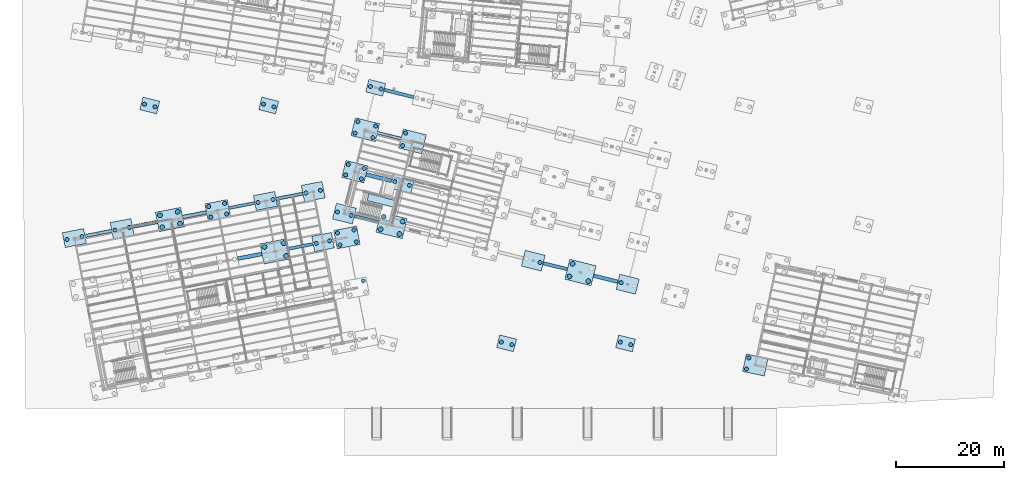
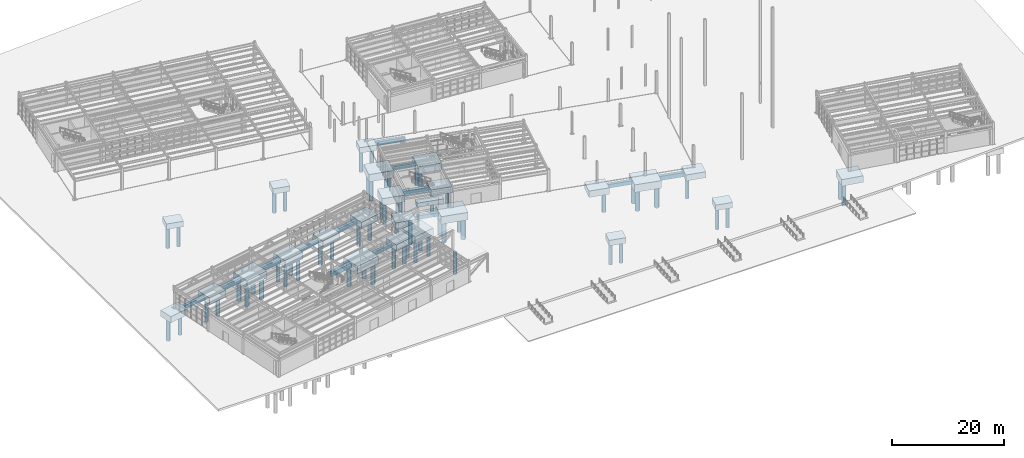
# One storey, part 2 of 108: 61 piles, 38 footings.
"""IFC4 building model written with IfcOpenShell, lengths in metres."""

from ifc_helpers import new_model, si_unit, direction, frame, origin, origin_2d, place, context, subcontext, project, spatial, rectangle, circle, extrude, material, material_profile, profile_set, type_object, element, save


model = new_model("IFC4")

# Units and contexts
model_context = context("Model", 3, precision=1e-05, world=origin(), true_north=direction((0.0, 1.0)))
body_context = subcontext(model_context, "Body", "Model", "MODEL_VIEW")
ifc_project = project(units=[si_unit("LENGTHUNIT", "METRE"), si_unit("AREAUNIT", "SQUARE_METRE"), si_unit("VOLUMEUNIT", "CUBIC_METRE"), si_unit("PLANEANGLEUNIT", "RADIAN"), si_unit("MASSUNIT", "GRAM", prefix="KILO")], contexts=[model_context])

# Site, building, storey
site_placement = place(None, origin())
site = spatial("IfcSite", under=ifc_project, at=site_placement, CompositionType="ELEMENT")
building_placement = place(site_placement, origin())
building = spatial("IfcBuilding", under=site, at=building_placement, Name="Vireo Bluff Cable Station", CompositionType="ELEMENT")
storey_placement = place(building_placement, origin())
storey = spatial("IfcBuildingStorey", under=building, at=storey_placement, Name="L00", CompositionType="ELEMENT", Elevation=0.0)

# Piles
ifc_material_1 = material(Name="Concrete f'c 45 MPa", Category="concrete")
ifc_material_profile_1 = material_profile(ifc_material_1, circle(Radius=0.375, at=origin_2d()), Name="BOREDPILE-750")
ifc_profile_set_1 = profile_set([ifc_material_profile_1], Name="Concrete f'c 45 MPa")
pile_type_1 = type_object("IfcPileType", Name="BOREDPILE-750", PredefinedType="BORED", material=ifc_profile_set_1)
for number, where, z_axis, x_axis, name in (
    (1, (52.743408203125, 38.313232421875, -1.699951171875), (0.0, 0.0, -1.0), (1.0, 0.0, 0.0), "V1 rock-socketed bored pile 1"),
    (2, (55.256591796875, 37.686767578125, -1.699951171875), (0.0, 0.0, -1.0), (1.0, 0.0, 0.0), "V1 rock-socketed bored pile 2"),
):
    element("IfcPile", number, at=place(storey_placement, frame(where, z_axis=z_axis, x_axis=x_axis)), inside=storey, type_object=pile_type_1, Name=name, PredefinedType="BORED", context=body_context, shape_type="SweptSolid", body=[
        extrude(circle(Radius=0.375, at=origin_2d()), origin(), (0.0, 0.0, 1.0), 4.800048828125),
    ])
for number, where, z_axis, x_axis, name in (
    (3, (54.244140625, 45.15869140625, -1.800048828125), (0.0, 0.0, -1.0), (1.0, 0.0, 0.0), "V1 rock-socketed bored pile 3"),
    (4, (57.145263671875, 44.435302734375, -1.800048828125), (0.0, 0.0, -1.0), (1.0, 0.0, 0.0), "V1 rock-socketed bored pile 4"),
    (5, (57.626708984375, 46.3662109375, -1.800048828125), (0.0, 0.0, -1.0), (1.0, 0.0, 0.0), "V1 rock-socketed bored pile 5"),
    (6, (54.7255859375, 47.089599609375, -1.800048828125), (0.0, 0.0, -1.0), (1.0, 0.0, 0.0), "V1 rock-socketed bored pile 6"),
):
    element("IfcPile", number, at=place(storey_placement, frame(where, z_axis=z_axis, x_axis=x_axis)), inside=storey, type_object=pile_type_1, Name=name, PredefinedType="BORED", context=body_context, shape_type="SweptSolid", body=[
        extrude(circle(Radius=0.375, at=origin_2d()), origin(), (0.0, 0.0, 1.0), 4.699951171875),
    ])
for number, where, z_axis, x_axis, name in (
    (7, (55.961181640625, 52.872314453125, -1.89990234375), (0.0, 0.0, -1.0), (1.0, 0.0, 0.0), "V1 rock-socketed bored pile 7"),
    (8, (59.25048828125, 52.05224609375, -1.89990234375), (0.0, 0.0, -1.0), (1.0, 0.0, 0.0), "V1 rock-socketed bored pile 8"),
    (9, (59.7802734375, 54.17724609375, -1.89990234375), (0.0, 0.0, -1.0), (1.0, 0.0, 0.0), "V1 rock-socketed bored pile 9"),
    (10, (56.490966796875, 54.997314453125, -1.89990234375), (0.0, 0.0, -1.0), (1.0, 0.0, 0.0), "V1 rock-socketed bored pile 10"),
):
    element("IfcPile", number, at=place(storey_placement, frame(where, z_axis=z_axis, x_axis=x_axis)), inside=storey, type_object=pile_type_1, Name=name, PredefinedType="BORED", context=body_context, shape_type="SweptSolid", body=[
        extrude(circle(Radius=0.375, at=origin_2d()), origin(), (0.0, 0.0, 1.0), 4.60009765625),
    ])
for number, where, z_axis, x_axis, name in (
    (11, (58.840576171875, 61.52783203125, -1.5), (0.0, 0.0, -1.0), (1.0, 0.0, 0.0), "V1 rock-socketed bored pile 11"),
    (12, (60.771484375, 61.04638671875, -1.5), (0.0, 0.0, -1.0), (1.0, 0.0, 0.0), "V1 rock-socketed bored pile 12"),
):
    element("IfcPile", number, at=place(storey_placement, frame(where, z_axis=z_axis, x_axis=x_axis)), inside=storey, type_object=pile_type_1, Name=name, PredefinedType="BORED", context=body_context, shape_type="SweptSolid", body=[
        extrude(circle(Radius=0.375, at=origin_2d()), origin(), (0.0, 0.0, 1.0), 5.0),
    ])
for number, where, z_axis, x_axis, name in (
    (13, (63.314453125, 43.922607421875, -1.64990234375), (0.0, 0.0, -1.0), (1.0, 0.0, 0.0), "V1 rock-socketed bored pile 17"),
    (14, (66.021484375, 43.24755859375, -1.64990234375), (0.0, 0.0, -1.0), (1.0, 0.0, 0.0), "V1 rock-socketed bored pile 18"),
):
    element("IfcPile", number, at=place(storey_placement, frame(where, z_axis=z_axis, x_axis=x_axis)), inside=storey, type_object=pile_type_1, Name=name, PredefinedType="BORED", context=body_context, shape_type="SweptSolid", body=[
        extrude(circle(Radius=0.375, at=origin_2d()), origin(), (0.0, 0.0, 1.0), 4.85009765625),
    ])
for number, where, z_axis, x_axis, name in (
    (15, (64.7666015625, 50.57373046875, -1.85009765625), (0.0, 0.0, -1.0), (1.0, 0.0, 0.0), "V1 rock-socketed bored pile 19"),
    (16, (65.344970703125, 52.892822265625, -1.85009765625), (0.0, 0.0, -1.0), (1.0, 0.0, 0.0), "V1 rock-socketed bored pile 22"),
):
    element("IfcPile", number, at=place(storey_placement, frame(where, z_axis=z_axis, x_axis=x_axis)), inside=storey, type_object=pile_type_1, Name=name, PredefinedType="BORED", context=body_context, shape_type="SweptSolid", body=[
        extrude(circle(Radius=0.375, at=origin_2d()), origin(), (0.0, 0.0, 1.0), 4.64990234375),
    ])
pile_1_placement = place(storey_placement, frame((90.187255859375, 28.9775390625, -1.699951171875), z_axis=(0.0, 0.0, -1.0), x_axis=(1.0, 0.0, 0.0)))
element("IfcPile", 17, at=pile_1_placement, inside=storey, type_object=pile_type_1, Name="V1 rock-socketed bored pile 52", PredefinedType="BORED", context=body_context, shape_type="SweptSolid", body=[
    extrude(circle(Radius=0.375, at=origin_2d()), origin(), (0.0, 0.0, 1.0), 4.800048828125),
])
pile_2_placement = place(storey_placement, frame((105.18798828125, 25.2373046875, -1.6201171875), z_axis=(0.0, 0.0, -1.0), x_axis=(1.0, 0.0, 0.0)))
element("IfcPile", 18, at=pile_2_placement, inside=storey, type_object=pile_type_1, Name="V1 rock-socketed bored pile 75", PredefinedType="BORED", context=body_context, shape_type="SweptSolid", body=[
    extrude(circle(Radius=0.375, at=origin_2d()), origin(), (0.0, 0.0, 1.0), 4.8798828125),
])
for number, where, z_axis, x_axis, name in (
    (19, (2.692626953125, 33.210205078125, -1.64990234375), (0.0, 0.0, -1.0), (1.0, 0.0, 0.0), "V5 rock-socketed bored pile 267"),
    (20, (5.431396484375, 33.74267578125, -1.64990234375), (0.0, 0.0, -1.0), (1.0, 0.0, 0.0), "V5 rock-socketed bored pile 268"),
):
    element("IfcPile", number, at=place(storey_placement, frame(where, z_axis=z_axis, x_axis=x_axis)), inside=storey, type_object=pile_type_1, Name=name, PredefinedType="BORED", context=body_context, shape_type="SweptSolid", body=[
        extrude(circle(Radius=0.375, at=origin_2d()), origin(), (0.0, 0.0, 1.0), 4.85009765625),
    ])
for number, where, z_axis, x_axis, name in (
    (21, (11.576416015625, 34.93701171875, -1.679931640625), (0.0, 0.0, -1.0), (1.0, 0.0, 0.0), "V5 rock-socketed bored pile 277"),
    (22, (14.216796875, 35.4501953125, -1.679931640625), (0.0, 0.0, -1.0), (1.0, 0.0, 0.0), "V5 rock-socketed bored pile 278"),
):
    element("IfcPile", number, at=place(storey_placement, frame(where, z_axis=z_axis, x_axis=x_axis)), inside=storey, type_object=pile_type_1, Name=name, PredefinedType="BORED", context=body_context, shape_type="SweptSolid", body=[
        extrude(circle(Radius=0.375, at=origin_2d()), origin(), (0.0, 0.0, 1.0), 4.820068359375),
    ])
for number, where, z_axis, x_axis, name in (
    (23, (29.2880859375, 37.3662109375, -1.800048828125), (0.0, 0.0, -1.0), (1.0, 0.0, 0.0), "V5 rock-socketed bored pile 303"),
    (24, (32.22314453125, 37.936767578125, -1.800048828125), (0.0, 0.0, -1.0), (1.0, 0.0, 0.0), "V5 rock-socketed bored pile 304"),
    (25, (31.843505859375, 39.89013671875, -1.800048828125), (0.0, 0.0, -1.0), (1.0, 0.0, 0.0), "V5 rock-socketed bored pile 305"),
    (26, (28.908447265625, 39.319580078125, -1.800048828125), (0.0, 0.0, -1.0), (1.0, 0.0, 0.0), "V5 rock-socketed bored pile 306"),
):
    element("IfcPile", number, at=place(storey_placement, frame(where, z_axis=z_axis, x_axis=x_axis)), inside=storey, type_object=pile_type_1, Name=name, PredefinedType="BORED", context=body_context, shape_type="SweptSolid", body=[
        extrude(circle(Radius=0.375, at=origin_2d()), origin(), (0.0, 0.0, 1.0), 4.699951171875),
    ])
for number, where, z_axis, x_axis, name in (
    (27, (38.03125, 40.079345703125, -1.64990234375), (0.0, 0.0, -1.0), (1.0, 0.0, 0.0), "V5 rock-socketed bored pile 317"),
    (28, (40.769775390625, 40.611572265625, -1.64990234375), (0.0, 0.0, -1.0), (1.0, 0.0, 0.0), "V5 rock-socketed bored pile 318"),
):
    element("IfcPile", number, at=place(storey_placement, frame(where, z_axis=z_axis, x_axis=x_axis)), inside=storey, type_object=pile_type_1, Name=name, PredefinedType="BORED", context=body_context, shape_type="SweptSolid", body=[
        extrude(circle(Radius=0.375, at=origin_2d()), origin(), (0.0, 0.0, 1.0), 4.85009765625),
    ])
for number, where, z_axis, x_axis, name in (
    (29, (48.82568359375, 32.499755859375, -1.6201171875), (0.0, 0.0, -1.0), (1.0, 0.0, 0.0), "V5 rock-socketed bored pile 325"),
    (30, (51.27001953125, 32.974853515625, -1.6201171875), (0.0, 0.0, -1.0), (1.0, 0.0, 0.0), "V5 rock-socketed bored pile 326"),
):
    element("IfcPile", number, at=place(storey_placement, frame(where, z_axis=z_axis, x_axis=x_axis)), inside=storey, type_object=pile_type_1, Name=name, PredefinedType="BORED", context=body_context, shape_type="SweptSolid", body=[
        extrude(circle(Radius=0.375, at=origin_2d()), origin(), (0.0, 0.0, 1.0), 4.8798828125),
    ])
for number, where, z_axis, x_axis, name in (
    (31, (46.914794921875, 41.80615234375, -1.679931640625), (0.0, 0.0, -1.0), (1.0, 0.0, 0.0), "V5 rock-socketed bored pile 327"),
    (32, (49.555419921875, 42.3193359375, -1.679931640625), (0.0, 0.0, -1.0), (1.0, 0.0, 0.0), "V5 rock-socketed bored pile 328"),
):
    element("IfcPile", number, at=place(storey_placement, frame(where, z_axis=z_axis, x_axis=x_axis)), inside=storey, type_object=pile_type_1, Name=name, PredefinedType="BORED", context=body_context, shape_type="SweptSolid", body=[
        extrude(circle(Radius=0.375, at=origin_2d()), origin(), (0.0, 0.0, 1.0), 4.820068359375),
    ])
for number, where, z_axis, x_axis, name in (
    (33, (128.369384765625, 9.2783203125, -1.77001953125), (0.0, 0.0, -1.0), (1.0, 0.0, 0.0), "V5E rock-socketed bored pile 329"),
    (34, (128.803955078125, 11.322509765625, -1.77001953125), (0.0, 0.0, -1.0), (1.0, 0.0, 0.0), "V5E rock-socketed bored pile 332"),
):
    element("IfcPile", number, at=place(storey_placement, frame(where, z_axis=z_axis, x_axis=x_axis)), inside=storey, type_object=pile_type_1, Name=name, PredefinedType="BORED", context=body_context, shape_type="SweptSolid", body=[
        extrude(circle(Radius=0.375, at=origin_2d()), origin(), (0.0, 0.0, 1.0), 4.72998046875),
    ])
for number, where, z_axis, x_axis, name in (
    (35, (17.03466796875, 58.24072265625, -1.530029296875), (0.0, 0.0, -1.0), (1.0, 0.0, 0.0), "PLAZA rock-socketed bored pile 387"),
    (36, (18.96533203125, 57.75927734375, -1.530029296875), (0.0, 0.0, -1.0), (1.0, 0.0, 0.0), "PLAZA rock-socketed bored pile 388"),
    (37, (39.03466796875, 58.24072265625, -1.530029296875), (0.0, 0.0, -1.0), (1.0, 0.0, 0.0), "PLAZA rock-socketed bored pile 389"),
    (38, (40.96533203125, 57.75927734375, -1.530029296875), (0.0, 0.0, -1.0), (1.0, 0.0, 0.0), "PLAZA rock-socketed bored pile 390"),
    (39, (83.03466796875, 14.24072265625, -1.530029296875), (0.0, 0.0, -1.0), (1.0, 0.0, 0.0), "PLAZA rock-socketed bored pile 397"),
    (40, (84.96533203125, 13.75927734375, -1.530029296875), (0.0, 0.0, -1.0), (1.0, 0.0, 0.0), "PLAZA rock-socketed bored pile 398"),
    (41, (105.03466796875, 14.24072265625, -1.530029296875), (0.0, 0.0, -1.0), (1.0, 0.0, 0.0), "PLAZA rock-socketed bored pile 401"),
    (42, (106.96533203125, 13.75927734375, -1.530029296875), (0.0, 0.0, -1.0), (1.0, 0.0, 0.0), "PLAZA rock-socketed bored pile 402"),
):
    element("IfcPile", number, at=place(storey_placement, frame(where, z_axis=z_axis, x_axis=x_axis)), inside=storey, type_object=pile_type_1, Name=name, PredefinedType="BORED", context=body_context, shape_type="SweptSolid", body=[
        extrude(circle(Radius=0.375, at=origin_2d()), origin(), (0.0, 0.0, 1.0), 4.969970703125),
    ])
pile_3_placement = place(storey_placement, frame((57.496826171875, 25.572021484375, -1.77001953125), z_axis=(0.0, 0.0, -1.0), x_axis=(1.0, 0.0, 0.0)))
element("IfcPile", 43, at=pile_3_placement, inside=storey, type_object=pile_type_1, Name="CANOPY rock-socketed bored pile 417", PredefinedType="BORED", context=body_context, shape_type="SweptSolid", body=[
    extrude(circle(Radius=0.375, at=origin_2d()), origin(), (0.0, 0.0, 1.0), 4.72998046875),
])
for number, where, z_axis, x_axis, name in (
    (44, (53.162353515625, 32.20166015625, -1.81005859375), (0.0, 0.0, -1.0), (1.0, 0.0, 0.0), "CANOPY rock-socketed bored pile 419"),
    (45, (56.195556640625, 32.791259765625, -1.81005859375), (0.0, 0.0, -1.0), (1.0, 0.0, 0.0), "CANOPY rock-socketed bored pile 420"),
    (46, (55.76806640625, 34.990234375, -1.81005859375), (0.0, 0.0, -1.0), (1.0, 0.0, 0.0), "CANOPY rock-socketed bored pile 421"),
    (47, (52.73486328125, 34.400634765625, -1.81005859375), (0.0, 0.0, -1.0), (1.0, 0.0, 0.0), "CANOPY rock-socketed bored pile 422"),
):
    element("IfcPile", number, at=place(storey_placement, frame(where, z_axis=z_axis, x_axis=x_axis)), inside=storey, type_object=pile_type_1, Name=name, PredefinedType="BORED", context=body_context, shape_type="SweptSolid", body=[
        extrude(circle(Radius=0.375, at=origin_2d()), origin(), (0.0, 0.0, 1.0), 4.68994140625),
    ])
ifc_material_profile_2 = material_profile(ifc_material_1, circle(Radius=0.449951171875, at=origin_2d()), Name="BOREDPILE-900")
ifc_profile_set_2 = profile_set([ifc_material_profile_2], Name="Concrete f'c 45 MPa")
pile_type_2 = type_object("IfcPileType", Name="BOREDPILE-900", PredefinedType="BORED", material=ifc_profile_set_2)
for number, where, z_axis, x_axis, name in (
    (48, (60.69580078125, 35.09375, -1.949951171875), (0.0, 0.0, -1.0), (1.0, 0.0, 0.0), "V1 rock-socketed bored pile 13"),
    (49, (64.18896484375, 34.222900390625, -1.949951171875), (0.0, 0.0, -1.0), (1.0, 0.0, 0.0), "V1 rock-socketed bored pile 14"),
    (50, (64.76953125, 36.551513671875, -1.949951171875), (0.0, 0.0, -1.0), (1.0, 0.0, 0.0), "V1 rock-socketed bored pile 15"),
    (51, (61.2763671875, 37.422607421875, -1.949951171875), (0.0, 0.0, -1.0), (1.0, 0.0, 0.0), "V1 rock-socketed bored pile 16"),
    (52, (95.62646484375, 26.384521484375, -1.949951171875), (0.0, 0.0, -1.0), (1.0, 0.0, 0.0), "V1 rock-socketed bored pile 63"),
    (53, (99.11962890625, 25.513671875, -1.949951171875), (0.0, 0.0, -1.0), (1.0, 0.0, 0.0), "V1 rock-socketed bored pile 64"),
    (54, (96.20703125, 28.71337890625, -1.949951171875), (0.0, 0.0, -1.0), (1.0, 0.0, 0.0), "V1 rock-socketed bored pile 66"),
):
    element("IfcPile", number, at=place(storey_placement, frame(where, z_axis=z_axis, x_axis=x_axis)), inside=storey, type_object=pile_type_2, Name=name, PredefinedType="BORED", context=body_context, shape_type="SweptSolid", body=[
        extrude(circle(Radius=0.449951171875, at=origin_2d()), origin(), (0.0, 0.0, 1.0), 4.550048828125),
    ])
for number, where, z_axis, x_axis, name in (
    (55, (20.3017578125, 35.487060546875, -1.8798828125), (0.0, 0.0, -1.0), (1.0, 0.0, 0.0), "V5 rock-socketed bored pile 291"),
    (56, (23.590087890625, 36.126220703125, -1.8798828125), (0.0, 0.0, -1.0), (1.0, 0.0, 0.0), "V5 rock-socketed bored pile 292"),
    (57, (23.160888671875, 38.3349609375, -1.8798828125), (0.0, 0.0, -1.0), (1.0, 0.0, 0.0), "V5 rock-socketed bored pile 293"),
    (58, (19.872314453125, 37.695556640625, -1.8798828125), (0.0, 0.0, -1.0), (1.0, 0.0, 0.0), "V5 rock-socketed bored pile 294"),
):
    element("IfcPile", number, at=place(storey_placement, frame(where, z_axis=z_axis, x_axis=x_axis)), inside=storey, type_object=pile_type_2, Name=name, PredefinedType="BORED", context=body_context, shape_type="SweptSolid", body=[
        extrude(circle(Radius=0.449951171875, at=origin_2d()), origin(), (0.0, 0.0, 1.0), 4.6201171875),
    ])
for number, where, z_axis, x_axis, name in (
    (59, (43.209228515625, 30.185546875, -1.949951171875), (0.0, 0.0, -1.0), (1.0, 0.0, 0.0), "V5 rock-socketed bored pile 314"),
    (60, (42.751220703125, 32.54150390625, -1.949951171875), (0.0, 0.0, -1.0), (1.0, 0.0, 0.0), "V5 rock-socketed bored pile 315"),
    (61, (39.21728515625, 31.8544921875, -1.949951171875), (0.0, 0.0, -1.0), (1.0, 0.0, 0.0), "V5 rock-socketed bored pile 316"),
):
    element("IfcPile", number, at=place(storey_placement, frame(where, z_axis=z_axis, x_axis=x_axis)), inside=storey, type_object=pile_type_2, Name=name, PredefinedType="BORED", context=body_context, shape_type="SweptSolid", body=[
        extrude(circle(Radius=0.449951171875, at=origin_2d()), origin(), (0.0, 0.0, 1.0), 4.550048828125),
    ])

# Footings
ifc_material_2 = material(Name="Concrete f'c 40 MPa", Category="concrete")
ifc_material_profile_3 = material_profile(ifc_material_2, rectangle(XDim=0.550048828125, YDim=0.75, at=origin_2d()), Name="GRADEBM-550X750")
ifc_profile_set_3 = profile_set([ifc_material_profile_3], Name="Concrete f'c 40 MPa")
footing_type_1 = type_object("IfcFootingType", Name="GRADEBM-550X750", PredefinedType="FOOTING_BEAM", material=ifc_profile_set_3)
footing_1_placement = place(storey_placement, frame((60.141357421875, 52.958740234375, -1.070068359375), z_axis=(0.970291780541, -0.241937720527, 0.0), x_axis=(0.241937720527, 0.970291780541, 0.0)))
element("IfcFooting", 62, at=footing_1_placement, inside=storey, type_object=footing_type_1, Name="V1 foundation grade beam 12", PredefinedType="FOOTING_BEAM", context=body_context, shape_type="SweptSolid", body=[
    extrude(rectangle(XDim=0.550048828125, YDim=0.75, at=origin_2d()), origin(), (0.0, 0.0, 1.0), 4.419921875),
])
footing_2_placement = place(storey_placement, frame((43.70654296875, 31.504638671875, -1.094970703125), z_axis=(0.98162456357, 0.190822472984, 0.0), x_axis=(-0.190822472984, 0.98162456357, 0.0)))
element("IfcFooting", 63, at=footing_2_placement, inside=storey, type_object=footing_type_1, Name="V5 foundation grade beam 88", PredefinedType="FOOTING_BEAM", context=body_context, shape_type="SweptSolid", body=[
    extrude(rectangle(XDim=0.550048828125, YDim=0.75, at=origin_2d()), origin(), (0.0, 0.0, 1.0), 4.570068359375),
])
footing_3_placement = place(storey_placement, frame((32.66650390625, 39.03662109375, -1.02001953125), z_axis=(0.981628040997, 0.190804583614, 0.0), x_axis=(-0.190804583614, 0.981628040997, 0.0)))
element("IfcFooting", 64, at=footing_3_placement, inside=storey, type_object=footing_type_1, Name="V5 foundation grade beam 92", PredefinedType="FOOTING_BEAM", context=body_context, shape_type="SweptSolid", body=[
    extrude(rectangle(XDim=0.550048828125, YDim=0.75, at=origin_2d()), origin(), (0.0, 0.0, 1.0), 4.820068359375),
])
ifc_material_profile_4 = material_profile(ifc_material_2, rectangle(XDim=0.60009765625, YDim=0.800048828125, at=origin_2d()), Name="GRADEBM-600X800")
ifc_profile_set_4 = profile_set([ifc_material_profile_4], Name="Concrete f'c 40 MPa")
footing_type_2 = type_object("IfcFootingType", Name="GRADEBM-600X800", PredefinedType="FOOTING_BEAM", material=ifc_profile_set_4)
for number, where, z_axis, x_axis, name in (
    (65, (55.88232421875, 37.53076171875, -0.969970703125), (0.970294816474, -0.241925544588, 0.0), (0.241925544588, 0.970294816474, 0.0), "V1 foundation grade beam 1"),
    (66, (90.81298828125, 28.821533203125, -0.969970703125), (0.970294816474, -0.241925544588, 0.0), (0.241925544588, 0.970294816474, 0.0), "V1 foundation grade beam 5"),
):
    element("IfcFooting", number, at=place(storey_placement, frame(where, z_axis=z_axis, x_axis=x_axis)), inside=storey, type_object=footing_type_2, Name=name, PredefinedType="FOOTING_BEAM", context=body_context, shape_type="SweptSolid", body=[
        extrude(rectangle(XDim=0.60009765625, YDim=0.800048828125, at=origin_2d()), origin(), (0.0, 0.0, 1.0), 4.52001953125),
    ])
footing_4_placement = place(storey_placement, frame((61.3974609375, 60.890380859375, -0.8701171875), z_axis=(0.970289285176, -0.241947727975, 0.0), x_axis=(0.241947727975, 0.970289285176, 0.0)))
element("IfcFooting", 67, at=footing_4_placement, inside=storey, type_object=footing_type_2, Name="V1 foundation grade beam 17", PredefinedType="FOOTING_BEAM", context=body_context, shape_type="SweptSolid", body=[
    extrude(rectangle(XDim=0.60009765625, YDim=0.800048828125, at=origin_2d()), origin(), (0.0, 0.0, 1.0), 5.570068359375),
])
for number, where, z_axis, x_axis, name in (
    (68, (6.064453125, 33.86572265625, -0.945068359375), (0.981629959431, 0.190794713628, 0.0), (-0.190794713628, 0.981629959431, 0.0), "V5 foundation grade beam 89"),
    (69, (41.403076171875, 40.73486328125, -0.945068359375), (0.981629959431, 0.190794713628, 0.0), (-0.190794713628, 0.981629959431, 0.0), "V5 foundation grade beam 93"),
):
    element("IfcFooting", number, at=place(storey_placement, frame(where, z_axis=z_axis, x_axis=x_axis)), inside=storey, type_object=footing_type_2, Name=name, PredefinedType="FOOTING_BEAM", context=body_context, shape_type="SweptSolid", body=[
        extrude(rectangle(XDim=0.60009765625, YDim=0.800048828125, at=origin_2d()), origin(), (0.0, 0.0, 1.0), 4.969970703125),
    ])
ifc_material_profile_5 = material_profile(ifc_material_2, rectangle(XDim=0.64990234375, YDim=0.89990234375, at=origin_2d()), Name="GRADEBM-650X900")
ifc_profile_set_5 = profile_set([ifc_material_profile_5], Name="Concrete f'c 40 MPa")
footing_type_3 = type_object("IfcFootingType", Name="GRADEBM-650X900", PredefinedType="FOOTING_BEAM", material=ifc_profile_set_5)
footing_5_placement = place(storey_placement, frame((100.1279296875, 26.4990234375, -1.094970703125), z_axis=(0.970299428019, -0.241907048236, 0.0), x_axis=(0.241907048236, 0.970299428019, 0.0)))
element("IfcFooting", 70, at=footing_5_placement, inside=storey, type_object=footing_type_3, Name="V1 foundation grade beam 6", PredefinedType="FOOTING_BEAM", context=body_context, shape_type="SweptSolid", body=[
    extrude(rectangle(XDim=0.64990234375, YDim=0.89990234375, at=origin_2d()), origin(), (0.0, 0.0, 1.0), 4.56982421875),
])
footing_6_placement = place(storey_placement, frame((14.85009765625, 35.573486328125, -0.9599609375), z_axis=(0.981628937053, 0.190799973638, 0.0), x_axis=(-0.190799973638, 0.981628937053, 0.0)))
element("IfcFooting", 71, at=footing_6_placement, inside=storey, type_object=footing_type_3, Name="V5 foundation grade beam 90", PredefinedType="FOOTING_BEAM", context=body_context, shape_type="SweptSolid", body=[
    extrude(rectangle(XDim=0.64990234375, YDim=0.89990234375, at=origin_2d()), origin(), (0.0, 0.0, 1.0), 4.594970703125),
])
ifc_material_profile_6 = material_profile(ifc_material_2, rectangle(XDim=0.699951171875, YDim=1.0, at=origin_2d()), Name="GRADEBM-700X1000")
ifc_profile_set_6 = profile_set([ifc_material_profile_6], Name="Concrete f'c 40 MPa")
footing_type_4 = type_object("IfcFootingType", Name="GRADEBM-700X1000", PredefinedType="FOOTING_BEAM", material=ifc_profile_set_6)
footing_7_placement = place(storey_placement, frame((58.01171875, 45.24462890625, -1.02001953125), z_axis=(0.970300203048, -0.241903939539, 0.0), x_axis=(0.241903939539, 0.970300203048, 0.0)))
element("IfcFooting", 72, at=footing_7_placement, inside=storey, type_object=footing_type_4, Name="V1 foundation grade beam 7", PredefinedType="FOOTING_BEAM", context=body_context, shape_type="SweptSolid", body=[
    extrude(rectangle(XDim=0.699951171875, YDim=1.0, at=origin_2d()), origin(), (0.0, 0.0, 1.0), 4.820068359375),
])
footing_8_placement = place(storey_placement, frame((34.282958984375, 29.6728515625, -0.969970703125), z_axis=(0.981623821894, 0.190826288255, 0.0), x_axis=(-0.190826288255, 0.981623821894, 0.0)))
element("IfcFooting", 73, at=footing_8_placement, inside=storey, type_object=footing_type_4, Name="V5 foundation grade beam 87", PredefinedType="FOOTING_BEAM", context=body_context, shape_type="SweptSolid", body=[
    extrude(rectangle(XDim=0.699951171875, YDim=1.0, at=origin_2d()), origin(), (0.0, 0.0, 1.0), 4.52001953125),
])
footing_9_placement = place(storey_placement, frame((24.101806640625, 37.371826171875, -1.06005859375), z_axis=(0.981626822192, 0.190810853866, 0.0), x_axis=(-0.190810853866, 0.981626822192, 0.0)))
element("IfcFooting", 74, at=footing_9_placement, inside=storey, type_object=footing_type_4, Name="V5 foundation grade beam 91", PredefinedType="FOOTING_BEAM", context=body_context, shape_type="SweptSolid", body=[
    extrude(rectangle(XDim=0.699951171875, YDim=1.0, at=origin_2d()), origin(), (0.0, 0.0, 1.0), 4.445068359375),
])
footing_type_5 = type_object("IfcFootingType", Name="PCAP-320X240X120", PredefinedType="PILE_CAP", material=ifc_material_2)
for number, where, z_axis, x_axis, name in (
    (75, (59.80615234375, 61.287109375, -1.6201171875), (0.0, 0.0, 1.0), (0.970295726276, -0.2419218956, 0.0), "V1 pile cap 4"),
    (76, (18.0, 58.0, -1.64990234375), (0.0, 0.0, 1.0), (0.970295726276, -0.2419218956, 0.0), "PLAZA pile cap 125"),
    (77, (40.0, 58.0, -1.64990234375), (0.0, 0.0, 1.0), (0.970295726276, -0.2419218956, 0.0), "PLAZA pile cap 126"),
    (78, (84.0, 14.0, -1.64990234375), (0.0, 0.0, 1.0), (0.970295726276, -0.2419218956, 0.0), "PLAZA pile cap 130"),
    (79, (106.0, 14.0, -1.64990234375), (0.0, 0.0, 1.0), (0.970295726276, -0.2419218956, 0.0), "PLAZA pile cap 132"),
):
    element("IfcFooting", number, at=place(storey_placement, frame(where, z_axis=z_axis, x_axis=x_axis)), inside=storey, type_object=footing_type_5, Name=name, PredefinedType="PILE_CAP", context=body_context, shape_type="SweptSolid", body=[
        extrude(rectangle(XDim=3.199951171875, YDim=2.39990234375, at=origin_2d()), origin(), (0.0, 0.0, 1.0), 1.199951171875),
    ])
footing_type_6 = type_object("IfcFootingType", Name="PCAP-370X290X132", PredefinedType="PILE_CAP", material=ifc_material_2)
for number, where, z_axis, x_axis, name in (
    (80, (106.39599609375, 24.936279296875, -1.740234375), (0.0, 0.0, 1.0), (0.970295726276, -0.2419218956, 0.0), "V1 pile cap 25"),
    (81, (50.0478515625, 32.7373046875, -1.740234375), (0.0, 0.0, 1.0), (0.981627183448, 0.190808995377, 0.0), "V5 pile cap 105"),
):
    element("IfcFooting", number, at=place(storey_placement, frame(where, z_axis=z_axis, x_axis=x_axis)), inside=storey, type_object=footing_type_6, Name=name, PredefinedType="PILE_CAP", context=body_context, shape_type="SweptSolid", body=[
        extrude(rectangle(XDim=3.699951171875, YDim=2.89990234375, at=origin_2d()), origin(), (0.0, 0.0, 1.0), 1.320068359375),
    ])
footing_type_7 = type_object("IfcFootingType", Name="PCAP-380X300X140", PredefinedType="PILE_CAP", material=ifc_material_2)
for number, where, z_axis, x_axis, name in (
    (82, (54.0, 38.0, -1.820068359375), (0.0, 0.0, 1.0), (0.970295726276, -0.2419218956, 0.0), "V1 pile cap 1"),
    (83, (88.9306640625, 29.290771484375, -1.820068359375), (0.0, 0.0, 1.0), (0.970295726276, -0.2419218956, 0.0), "V1 pile cap 17"),
):
    element("IfcFooting", number, at=place(storey_placement, frame(where, z_axis=z_axis, x_axis=x_axis)), inside=storey, type_object=footing_type_7, Name=name, PredefinedType="PILE_CAP", context=body_context, shape_type="SweptSolid", body=[
        extrude(rectangle(XDim=3.800048828125, YDim=3.0, at=origin_2d()), origin(), (0.0, 0.0, 1.0), 1.39990234375),
    ])
footing_type_8 = type_object("IfcFootingType", Name="PCAP-390X310X138", PredefinedType="PILE_CAP", material=ifc_material_2)
for number, where, z_axis, x_axis, name in (
    (84, (12.896484375, 35.193603515625, -1.800048828125), (0.0, 0.0, 1.0), (0.981627183448, 0.190808995377, 0.0), "V5 pile cap 90"),
    (85, (48.235107421875, 42.062744140625, -1.800048828125), (0.0, 0.0, 1.0), (0.981627183448, 0.190808995377, 0.0), "V5 pile cap 106"),
):
    element("IfcFooting", number, at=place(storey_placement, frame(where, z_axis=z_axis, x_axis=x_axis)), inside=storey, type_object=footing_type_8, Name=name, PredefinedType="PILE_CAP", context=body_context, shape_type="SweptSolid", body=[
        extrude(rectangle(XDim=3.89990234375, YDim=3.10009765625, at=origin_2d()), origin(), (0.0, 0.0, 1.0), 1.3798828125),
    ])
footing_type_9 = type_object("IfcFootingType", Name="PCAP-400X280X135", PredefinedType="PILE_CAP", material=ifc_material_2)
for number, where, z_axis, x_axis, name in (
    (86, (64.66796875, 43.5849609375, -1.77001953125), (0.0, 0.0, 1.0), (0.970295726276, -0.2419218956, 0.0), "V1 pile cap 6"),
    (87, (4.06201171875, 33.476318359375, -1.77001953125), (0.0, 0.0, 1.0), (0.981627183448, 0.190808995377, 0.0), "V5 pile cap 86"),
    (88, (39.400634765625, 40.345458984375, -1.77001953125), (0.0, 0.0, 1.0), (0.981627183448, 0.190808995377, 0.0), "V5 pile cap 102"),
):
    element("IfcFooting", number, at=place(storey_placement, frame(where, z_axis=z_axis, x_axis=x_axis)), inside=storey, type_object=footing_type_9, Name=name, PredefinedType="PILE_CAP", context=body_context, shape_type="SweptSolid", body=[
        extrude(rectangle(XDim=4.0, YDim=2.800048828125, at=origin_2d()), origin(), (0.0, 0.0, 1.0), 1.35009765625),
    ])
footing_type_10 = type_object("IfcFootingType", Name="PCAP-409X330X144", PredefinedType="PILE_CAP", material=ifc_material_2)
footing_10_placement = place(storey_placement, frame((130.0, 10.0, -1.889892578125), z_axis=(0.0, 0.0, 1.0), x_axis=(0.978147600734, -0.207911690818, 0.0)))
element("IfcFooting", 89, at=footing_10_placement, inside=storey, type_object=footing_type_10, Name="V5E pile cap 107", PredefinedType="PILE_CAP", context=body_context, shape_type="SweptSolid", body=[
    extrude(rectangle(XDim=4.10009765625, YDim=3.300048828125, at=origin_2d()), origin(), (0.0, 0.0, 1.0), 1.43994140625),
])
footing_type_11 = type_object("IfcFootingType", Name="PCAP-420X320X150", PredefinedType="PILE_CAP", material=ifc_material_2)
for number, where, z_axis, x_axis, name in (
    (90, (55.935302734375, 45.762451171875, -1.919921875), (0.0, 0.0, 1.0), (0.970295726276, -0.2419218956, 0.0), "V1 pile cap 2"),
    (91, (30.56591796875, 38.628173828125, -1.919921875), (0.0, 0.0, 1.0), (0.981627183448, 0.190808995377, 0.0), "V5 pile cap 98"),
):
    element("IfcFooting", number, at=place(storey_placement, frame(where, z_axis=z_axis, x_axis=x_axis)), inside=storey, type_object=footing_type_11, Name=name, PredefinedType="PILE_CAP", context=body_context, shape_type="SweptSolid", body=[
        extrude(rectangle(XDim=4.199951171875, YDim=3.199951171875, at=origin_2d()), origin(), (0.0, 0.0, 1.0), 1.5),
    ])
footing_type_12 = type_object("IfcFootingType", Name="PCAP-430X345X148", PredefinedType="PILE_CAP", material=ifc_material_2)
footing_11_placement = place(storey_placement, frame((54.465087890625, 33.595947265625, -1.929931640625), z_axis=(0.0, 0.0, 1.0), x_axis=(0.981627183448, 0.190808995377, 0.0)))
element("IfcFooting", 92, at=footing_11_placement, inside=storey, type_object=footing_type_12, Name="CANOPY pile cap 140", PredefinedType="PILE_CAP", context=body_context, shape_type="SweptSolid", body=[
    extrude(rectangle(XDim=4.300048828125, YDim=3.449951171875, at=origin_2d()), origin(), (0.0, 0.0, 1.0), 1.47998046875),
])
footing_type_13 = type_object("IfcFootingType", Name="PCAP-440X360X155", PredefinedType="PILE_CAP", material=ifc_material_2)
footing_12_placement = place(storey_placement, frame((66.603515625, 51.347412109375, -1.97021484375), z_axis=(0.0, 0.0, 1.0), x_axis=(0.970295726276, -0.2419218956, 0.0)))
element("IfcFooting", 93, at=footing_12_placement, inside=storey, type_object=footing_type_13, Name="V1 pile cap 7", PredefinedType="PILE_CAP", context=body_context, shape_type="SweptSolid", body=[
    extrude(rectangle(XDim=4.39990234375, YDim=3.60009765625, at=origin_2d()), origin(), (0.0, 0.0, 1.0), 1.550048828125),
])
footing_type_14 = type_object("IfcFootingType", Name="PCAP-459X340X160", PredefinedType="PILE_CAP", material=ifc_material_2)
footing_13_placement = place(storey_placement, frame((57.870849609375, 53.524658203125, -2.02001953125), z_axis=(0.0, 0.0, 1.0), x_axis=(0.970295726276, -0.2419218956, 0.0)))
element("IfcFooting", 94, at=footing_13_placement, inside=storey, type_object=footing_type_14, Name="V1 pile cap 3", PredefinedType="PILE_CAP", context=body_context, shape_type="SweptSolid", body=[
    extrude(rectangle(XDim=4.60009765625, YDim=3.39990234375, at=origin_2d()), origin(), (0.0, 0.0, 1.0), 1.60009765625),
])
footing_type_15 = type_object("IfcFootingType", Name="PCAP-475X365X158", PredefinedType="PILE_CAP", material=ifc_material_2)
footing_14_placement = place(storey_placement, frame((21.731201171875, 36.910888671875, -2.0), z_axis=(0.0, 0.0, 1.0), x_axis=(0.981627183448, 0.190808995377, 0.0)))
element("IfcFooting", 95, at=footing_14_placement, inside=storey, type_object=footing_type_15, Name="V5 pile cap 94", PredefinedType="PILE_CAP", context=body_context, shape_type="SweptSolid", body=[
    extrude(rectangle(XDim=4.75, YDim=3.64990234375, at=origin_2d()), origin(), (0.0, 0.0, 1.0), 1.580078125),
])
footing_type_16 = type_object("IfcFootingType", Name="PCAP-500X380X165", PredefinedType="PILE_CAP", material=ifc_material_2)
for number, where, z_axis, x_axis, name in (
    (96, (62.732666015625, 35.82275390625, -2.070068359375), (0.0, 0.0, 1.0), (0.970295726276, -0.2419218956, 0.0), "V1 pile cap 5"),
    (97, (97.663330078125, 27.113525390625, -2.070068359375), (0.0, 0.0, 1.0), (0.970295726276, -0.2419218956, 0.0), "V1 pile cap 21"),
    (98, (41.213134765625, 31.02001953125, -2.070068359375), (0.0, 0.0, 1.0), (0.981627183448, 0.190808995377, 0.0), "V5 pile cap 101"),
):
    element("IfcFooting", number, at=place(storey_placement, frame(where, z_axis=z_axis, x_axis=x_axis)), inside=storey, type_object=footing_type_16, Name=name, PredefinedType="PILE_CAP", context=body_context, shape_type="SweptSolid", body=[
        extrude(rectangle(XDim=5.0, YDim=3.800048828125, at=origin_2d()), origin(), (0.0, 0.0, 1.0), 1.64990234375),
    ])
ifc_material_profile_7 = material_profile(ifc_material_2, rectangle(XDim=1.300048828125, YDim=0.949951171875, at=origin_2d()), Name="STRIPFTG-1300X950")
ifc_profile_set_7 = profile_set([ifc_material_profile_7], Name="Concrete f'c 40 MPa")
footing_type_17 = type_object("IfcFootingType", Name="STRIPFTG-1300X950", PredefinedType="STRIP_FOOTING", material=ifc_profile_set_7)
footing_15_placement = place(storey_placement, frame((58.36376953125, 41.034423828125, -0.89501953125), z_axis=(0.970300273646, -0.241903656366, 0.0), x_axis=(0.241903656366, 0.970300273646, 0.0)))
element("IfcFooting", 99, at=footing_15_placement, inside=storey, type_object=footing_type_17, Name="V1 strip footing 6", PredefinedType="STRIP_FOOTING", context=body_context, shape_type="SweptSolid", body=[
    extrude(rectangle(XDim=1.300048828125, YDim=0.949951171875, at=origin_2d()), origin(), (0.0, 0.0, 1.0), 4.999755859375),
])

save(model, "model.ifc")
